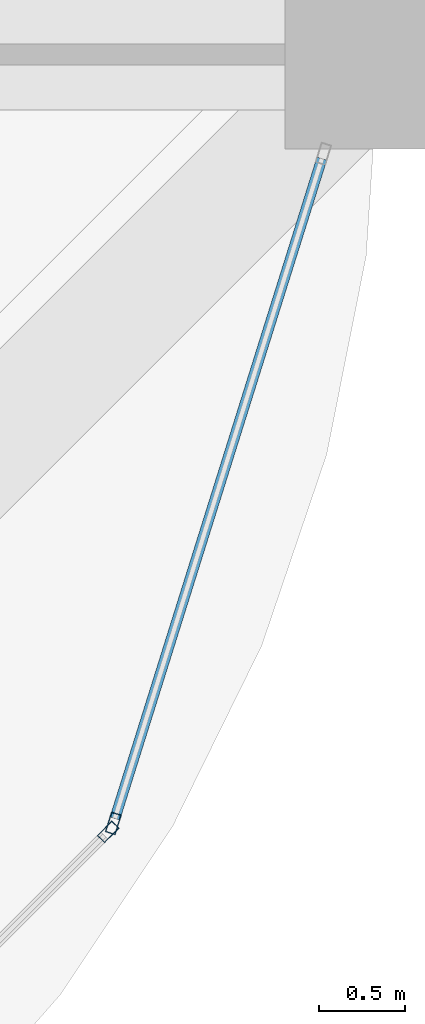
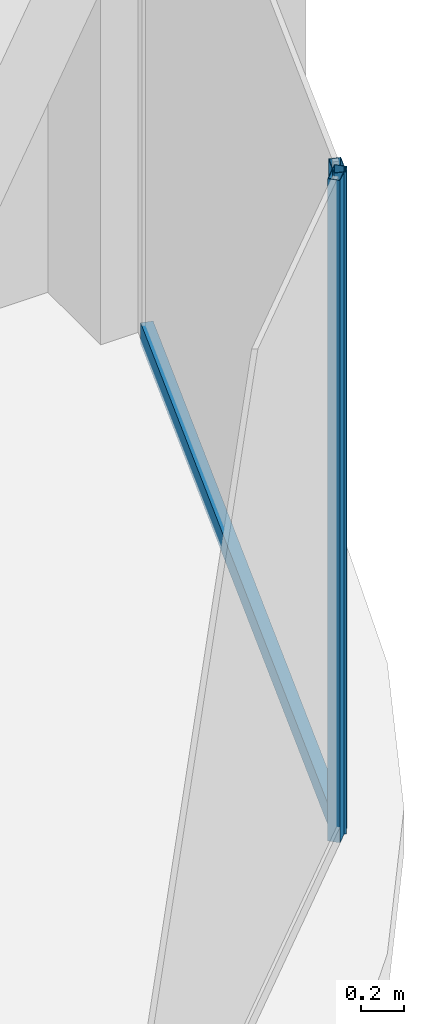
# One storey, part 20 of 45: 3 members, 2 elements without a shape of their own.
"""IFC4 building model written with IfcOpenShell, lengths in metres."""

from ifc_helpers import new_model, si_unit, direction, frame, origin, origin_2d, place, context, subcontext, project, spatial, hollow_rectangle, extrude, material, material_profile, profile_set, type_object, element, aggregate, save


model = new_model("IFC4")

# Units and contexts
model_context = context("Model", 3, precision=1e-05, world=origin(), true_north=direction((0.0, 1.0)))
body_context = subcontext(model_context, "Body", "Model", "MODEL_VIEW")
ifc_project = project(units=[si_unit("LENGTHUNIT", "METRE"), si_unit("AREAUNIT", "SQUARE_METRE"), si_unit("VOLUMEUNIT", "CUBIC_METRE"), si_unit("PLANEANGLEUNIT", "RADIAN"), si_unit("MASSUNIT", "GRAM", prefix="KILO")], contexts=[model_context])

# Site, building, storey
site_placement = place(None, origin())
site = spatial("IfcSite", under=ifc_project, at=site_placement, CompositionType="ELEMENT")
building_placement = place(site_placement, origin())
building = spatial("IfcBuilding", under=site, at=building_placement, Name="Zorevar Civic Tower", CompositionType="ELEMENT")
storey_placement = place(building_placement, frame((0.0, 0.0, 303.39990234375)))
storey = spatial("IfcBuildingStorey", under=building, at=storey_placement, Name="L74", CompositionType="ELEMENT", Elevation=303.39990234375)

# Curtain wall, member
ifc_material_1 = material(Name="Dark grey solar-control glass in black aluminium frame", Category="aluminium")
curtain_wall_type = type_object("IfcCurtainWallType", Name="Curtain wall CW5 top zone", PredefinedType="NOTDEFINED", material=ifc_material_1)
curtain_wall_1_placement = place(storey_placement, origin())
curtain_wall_1 = element("IfcCurtainWall", 1, at=curtain_wall_1_placement, inside=storey, type_object=curtain_wall_type, Name="CW5 L74", PredefinedType="NOTDEFINED")
ifc_material_2 = material(Name="Aluminium, black anodised", Category="aluminium")
ifc_material_profile_1 = material_profile(ifc_material_2, hollow_rectangle(XDim=0.06005859375, YDim=0.1201171875, WallThickness=0.0029296875, at=origin_2d()), Name="AL 120x60x3")
ifc_profile_set_1 = profile_set([ifc_material_profile_1], Name="Aluminium, black anodised")
member_type_1 = type_object("IfcMemberType", Name="CW5 mullion AL 120x60x3", PredefinedType="MULLION", material=ifc_profile_set_1)
member_1_placement = place(storey_placement, frame((52.419677734375, 4.470947265625, 0.0), z_axis=(0.0, 0.0, 1.0), x_axis=(-0.707106781187, 0.707106781187, 0.0)))
member_1 = element("IfcMember", 2, at=member_1_placement, type_object=member_type_1, Name="CW5 mullion 2", PredefinedType="MULLION", context=body_context, shape_type="SweptSolid", body=[
    extrude(hollow_rectangle(XDim=0.06005859375, YDim=0.1201171875, WallThickness=0.0029296875, at=origin_2d()), origin(), (0.0, 0.0, 1.0), 3.75),
])
aggregate(curtain_wall_1, [member_1])

# Curtain wall, members
curtain_wall_2_placement = place(storey_placement, origin())
curtain_wall_2 = element("IfcCurtainWall", 3, at=curtain_wall_2_placement, inside=storey, type_object=curtain_wall_type, Name="CW5 L74", PredefinedType="NOTDEFINED")
member_2_placement = place(storey_placement, frame((52.449951171875, 4.520751953125, 0.0), z_axis=(0.0, 0.0, 1.0), x_axis=(-0.954153437674, 0.299317920238, 0.0)))
member_2 = element("IfcMember", 4, at=member_2_placement, type_object=member_type_1, Name="CW5 mullion 1", PredefinedType="MULLION", context=body_context, shape_type="SweptSolid", body=[
    extrude(hollow_rectangle(XDim=0.06005859375, YDim=0.1201171875, WallThickness=0.0029296875, at=origin_2d()), origin(), (0.0, 0.0, 1.0), 3.75),
])
ifc_material_3 = material(Name="Aluminium, black anodised", Category="aluminium")
ifc_material_profile_2 = material_profile(ifc_material_3, hollow_rectangle(XDim=0.06005859375, YDim=0.1201171875, WallThickness=0.0029296875, at=origin_2d()), Name="AL 120x60x3")
ifc_profile_set_2 = profile_set([ifc_material_profile_2], Name="Aluminium, black anodised")
member_type_2 = type_object("IfcMemberType", Name="CW5 transom AL 120x60x3", PredefinedType="USERDEFINED", material=ifc_profile_set_2)
member_3_placement = place(storey_placement, frame((52.458984375, 4.54931640625, 0.030029296875), z_axis=(0.299285978047, 0.954163457351, 0.0), x_axis=(-0.954163457351, 0.299285978047, 0.0)))
member_3 = element("IfcMember", 5, at=member_3_placement, type_object=member_type_2, Name="CW5 sill transom", ObjectType="TRANSOM", PredefinedType="USERDEFINED", context=body_context, shape_type="SweptSolid", body=[
    extrude(hollow_rectangle(XDim=0.06005859375, YDim=0.1201171875, WallThickness=0.0029296875, at=origin_2d()), origin(), (0.0, 0.0, 1.0), 4.028076171875),
])
aggregate(curtain_wall_2, [member_2, member_3])

save(model, "model.ifc")
